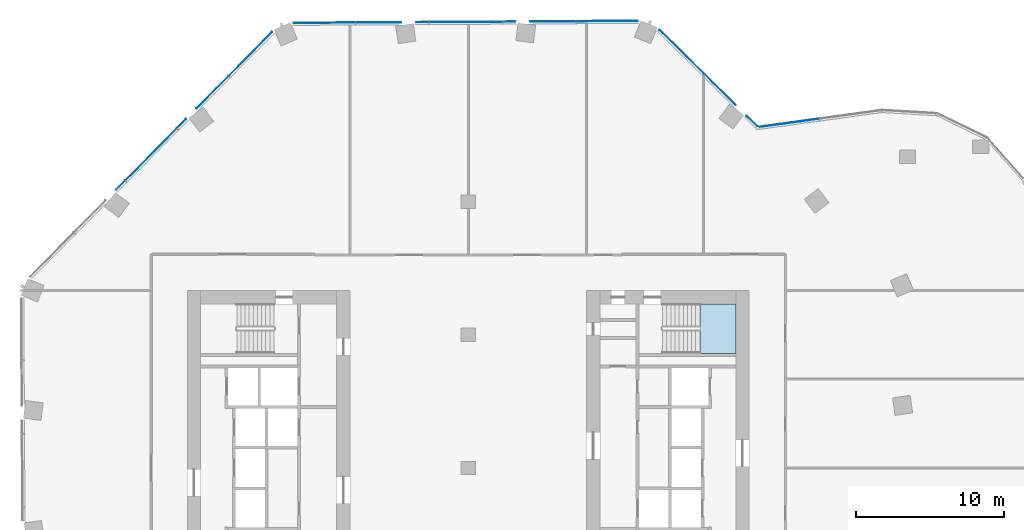
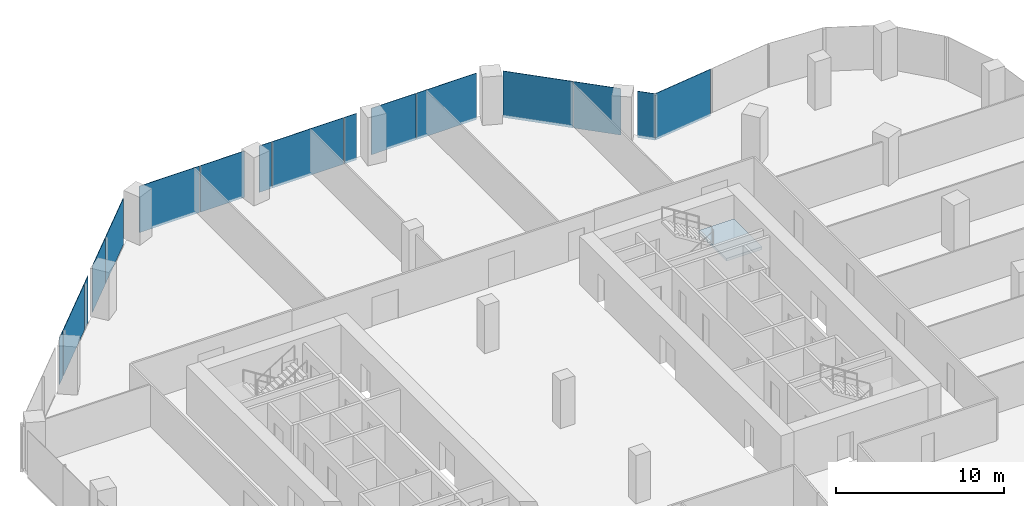
# One storey, part 17 of 27: 16 plates, 1 slab, 5 elements without a shape of their own.
"""IFC4 building model written with IfcOpenShell, lengths in metres."""

from ifc_helpers import new_model, si_unit, direction, frame, origin, origin_2d, place, context, subcontext, project, spatial, polyline, rectangle, outline, extrude, material, layer, layer_set, type_object, element, aggregate, save


model = new_model("IFC4")

# Units and contexts
model_context = context("Model", 3, precision=1e-05, world=origin(), true_north=direction((0.0, 1.0)))
body_context = subcontext(model_context, "Body", "Model", "MODEL_VIEW")
ifc_project = project(units=[si_unit("LENGTHUNIT", "METRE"), si_unit("AREAUNIT", "SQUARE_METRE"), si_unit("VOLUMEUNIT", "CUBIC_METRE"), si_unit("PLANEANGLEUNIT", "RADIAN"), si_unit("MASSUNIT", "GRAM", prefix="KILO")], contexts=[model_context])

# Site, building, storey
site_placement = place(None, origin())
site = spatial("IfcSite", under=ifc_project, at=site_placement, CompositionType="ELEMENT")
building_placement = place(site_placement, origin())
building = spatial("IfcBuilding", under=site, at=building_placement, Name="Orlundy Tower", CompositionType="ELEMENT")
storey_placement = place(building_placement, frame((0.0, 0.0, 195.60009765625)))
storey = spatial("IfcBuildingStorey", under=building, at=storey_placement, Name="L51", CompositionType="ELEMENT", Elevation=195.60009765625)

# Curtain wall, plates
ifc_material_1 = material(Name="Aluminium bronze anodised", Category="aluminium")
curtain_wall_type = type_object("IfcCurtainWallType", Name="CW1 wall", PredefinedType="NOTDEFINED", material=ifc_material_1)
curtain_wall_1_placement = place(storey_placement, origin())
curtain_wall_1 = element("IfcCurtainWall", 1, at=curtain_wall_1_placement, inside=storey, type_object=curtain_wall_type, Name="CW1 run 03", PredefinedType="NOTDEFINED")
ifc_material_2 = material(Name="Tinted glass", Category="glass")
ifc_layer_1 = layer(ifc_material_2, 0.031982421875)
ifc_layer_set_1 = layer_set([ifc_layer_1], Name="CW1 glass panel 32")
plate_type = type_object("IfcPlateType", Name="CW1 glass panel 32", PredefinedType="CURTAIN_PANEL", material=ifc_layer_set_1)
plate_1_placement = place(storey_placement, frame((-23.515380859375, 19.118408203125, -0.300048828125), z_axis=(0.0, 0.0, 1.0), x_axis=(0.702990637629, 0.711199102506, 0.0)))
plate_1 = element("IfcPlate", 2, at=plate_1_placement, type_object=plate_type, Name="CW1 panel", PredefinedType="CURTAIN_PANEL", context=body_context, shape_type="SweptSolid", body=[
    extrude(rectangle(XDim=0.846435546875, YDim=0.031982421875, at=origin_2d()), origin(), (0.0, 0.0, 1.0), 3.3798828125),
])
plate_2_placement = place(storey_placement, frame((-21.453125, 21.204833984375, -0.300048828125), z_axis=(0.0, 0.0, 1.0), x_axis=(0.702990637629, 0.711199102506, 0.0)))
plate_2 = element("IfcPlate", 3, at=plate_2_placement, type_object=plate_type, Name="CW1 panel", PredefinedType="CURTAIN_PANEL", context=body_context, shape_type="SweptSolid", body=[
    extrude(rectangle(XDim=4.92041015625, YDim=0.031982421875, at=origin_2d()), origin(), (0.0, 0.0, 1.0), 3.3798828125),
])
plate_3_placement = place(storey_placement, frame((-19.390625, 23.291259765625, -0.300048828125), z_axis=(0.0, 0.0, 1.0), x_axis=(0.702990637629, 0.711199102506, 0.0)))
plate_3 = element("IfcPlate", 4, at=plate_3_placement, type_object=plate_type, Name="CW1 panel", PredefinedType="CURTAIN_PANEL", context=body_context, shape_type="SweptSolid", body=[
    extrude(rectangle(XDim=0.84716796875, YDim=0.031982421875, at=origin_2d()), origin(), (0.0, 0.0, 1.0), 3.3798828125),
])
plate_4_placement = place(storey_placement, frame((-17.302978515625, 25.4033203125, -0.300048828125), z_axis=(0.0, 0.0, 1.0), x_axis=(0.702990637629, 0.711199102506, 0.0)))
plate_4 = element("IfcPlate", 5, at=plate_4_placement, type_object=plate_type, Name="CW1 panel", PredefinedType="CURTAIN_PANEL", context=body_context, shape_type="SweptSolid", body=[
    extrude(rectangle(XDim=3.054443359375, YDim=0.031982421875, at=origin_2d()), origin(), (0.0, 0.0, 1.0), 3.3798828125),
])
plate_5_placement = place(storey_placement, frame((-14.736328125, 28.0, -0.300048828125), z_axis=(0.0, 0.0, 1.0), x_axis=(0.702990637629, 0.711199102506, 0.0)))
plate_5 = element("IfcPlate", 6, at=plate_5_placement, type_object=plate_type, Name="CW1 panel", PredefinedType="CURTAIN_PANEL", context=body_context, shape_type="SweptSolid", body=[
    extrude(rectangle(XDim=4.147705078125, YDim=0.031982421875, at=origin_2d()), origin(), (0.0, 0.0, 1.0), 3.3798828125),
])
aggregate(curtain_wall_1, [plate_1, plate_2, plate_3, plate_4, plate_5])

curtain_wall_2_placement = place(storey_placement, origin())
curtain_wall_2 = element("IfcCurtainWall", 7, at=curtain_wall_2_placement, inside=storey, type_object=curtain_wall_type, Name="CW1 run 04", PredefinedType="NOTDEFINED")
plate_6_placement = place(storey_placement, frame((-9.72998046875, 30.107666015625, -0.300048828125), z_axis=(0.0, 0.0, 1.0), x_axis=(0.999982980873, 0.005834206419, 0.0)))
plate_6 = element("IfcPlate", 8, at=plate_6_placement, type_object=plate_type, Name="CW1 panel", PredefinedType="CURTAIN_PANEL", context=body_context, shape_type="SweptSolid", body=[
    extrude(rectangle(XDim=4.1474609375, YDim=0.031982421875, at=origin_2d()), origin(), (0.0, 0.0, 1.0), 3.3798828125),
])
plate_7_placement = place(storey_placement, frame((-6.078857421875, 30.129150390625, -0.300048828125), z_axis=(0.0, 0.0, 1.0), x_axis=(0.999982980873, 0.005834206419, 0.0)))
plate_7 = element("IfcPlate", 9, at=plate_7_placement, type_object=plate_type, Name="CW1 panel", PredefinedType="CURTAIN_PANEL", context=body_context, shape_type="SweptSolid", body=[
    extrude(rectangle(XDim=3.054931640625, YDim=0.031982421875, at=origin_2d()), origin(), (0.0, 0.0, 1.0), 3.3798828125),
])
plate_8_placement = place(storey_placement, frame((-3.109130859375, 30.146484375, -0.300048828125), z_axis=(0.0, 0.0, 1.0), x_axis=(0.999982980873, 0.005834206419, 0.0)))
plate_8 = element("IfcPlate", 10, at=plate_8_placement, type_object=plate_type, Name="CW1 panel", PredefinedType="CURTAIN_PANEL", context=body_context, shape_type="SweptSolid", body=[
    extrude(rectangle(XDim=0.8466796875, YDim=0.031982421875, at=origin_2d()), origin(), (0.0, 0.0, 1.0), 3.3798828125),
])
plate_9_placement = place(storey_placement, frame((-0.175537109375, 30.16357421875, -0.300048828125), z_axis=(0.0, 0.0, 1.0), x_axis=(0.999982980873, 0.005834206419, 0.0)))
plate_9 = element("IfcPlate", 11, at=plate_9_placement, type_object=plate_type, Name="CW1 panel", PredefinedType="CURTAIN_PANEL", context=body_context, shape_type="SweptSolid", body=[
    extrude(rectangle(XDim=4.920654296875, YDim=0.031982421875, at=origin_2d()), origin(), (0.0, 0.0, 1.0), 3.3798828125),
])
plate_10_placement = place(storey_placement, frame((2.758056640625, 30.1806640625, -0.300048828125), z_axis=(0.0, 0.0, 1.0), x_axis=(0.999982980873, 0.005834206419, 0.0)))
plate_10 = element("IfcPlate", 12, at=plate_10_placement, type_object=plate_type, Name="CW1 panel", PredefinedType="CURTAIN_PANEL", context=body_context, shape_type="SweptSolid", body=[
    extrude(rectangle(XDim=0.8466796875, YDim=0.031982421875, at=origin_2d()), origin(), (0.0, 0.0, 1.0), 3.3798828125),
])
plate_11_placement = place(storey_placement, frame((5.7265625, 30.197998046875, -0.300048828125), z_axis=(0.0, 0.0, 1.0), x_axis=(0.999982980873, 0.005834206419, 0.0)))
plate_11 = element("IfcPlate", 13, at=plate_11_placement, type_object=plate_type, Name="CW1 panel", PredefinedType="CURTAIN_PANEL", context=body_context, shape_type="SweptSolid", body=[
    extrude(rectangle(XDim=3.0576171875, YDim=0.031982421875, at=origin_2d()), origin(), (0.0, 0.0, 1.0), 3.3798828125),
])
plate_12_placement = place(storey_placement, frame((9.37939453125, 30.21923828125, -0.300048828125), z_axis=(0.0, 0.0, 1.0), x_axis=(0.999982980873, 0.005834206419, 0.0)))
plate_12 = element("IfcPlate", 14, at=plate_12_placement, type_object=plate_type, Name="CW1 panel", PredefinedType="CURTAIN_PANEL", context=body_context, shape_type="SweptSolid", body=[
    extrude(rectangle(XDim=4.14794921875, YDim=0.031982421875, at=origin_2d()), origin(), (0.0, 0.0, 1.0), 3.3798828125),
])
aggregate(curtain_wall_2, [plate_6, plate_7, plate_8, plate_9, plate_10, plate_11, plate_12])

curtain_wall_3_placement = place(storey_placement, origin())
curtain_wall_3 = element("IfcCurtainWall", 15, at=curtain_wall_3_placement, inside=storey, type_object=curtain_wall_type, Name="CW1 run 05", PredefinedType="NOTDEFINED")
plate_13_placement = place(storey_placement, frame((14.462158203125, 28.117919921875, -0.300048828125), z_axis=(0.0, 0.0, 1.0), x_axis=(0.711197941896, -0.702991811789, 0.0)))
plate_13 = element("IfcPlate", 16, at=plate_13_placement, type_object=plate_type, Name="CW1 panel", PredefinedType="CURTAIN_PANEL", context=body_context, shape_type="SweptSolid", body=[
    extrude(rectangle(XDim=4.294921875, YDim=0.031982421875, at=origin_2d()), origin(), (0.0, 0.0, 1.0), 3.3798828125),
])
plate_14_placement = place(storey_placement, frame((17.0595703125, 25.550537109375, -0.300048828125), z_axis=(0.0, 0.0, 1.0), x_axis=(0.711197941896, -0.702991811789, 0.0)))
plate_14 = element("IfcPlate", 17, at=plate_14_placement, type_object=plate_type, Name="CW1 panel", PredefinedType="CURTAIN_PANEL", context=body_context, shape_type="SweptSolid", body=[
    extrude(rectangle(XDim=2.909423828125, YDim=0.031982421875, at=origin_2d()), origin(), (0.0, 0.0, 1.0), 3.3798828125),
])
plate_15_placement = place(storey_placement, frame((19.20361328125, 23.43115234375, -0.300048828125), z_axis=(0.0, 0.0, 1.0), x_axis=(0.711197941896, -0.702991811789, 0.0)))
plate_15 = element("IfcPlate", 18, at=plate_15_placement, type_object=plate_type, Name="CW1 panel", PredefinedType="CURTAIN_PANEL", context=body_context, shape_type="SweptSolid", body=[
    extrude(rectangle(XDim=1.0859375, YDim=0.031982421875, at=origin_2d()), origin(), (0.0, 0.0, 1.0), 3.3798828125),
])
aggregate(curtain_wall_3, [plate_13, plate_14, plate_15])

# Curtain wall, plate
curtain_wall_4_placement = place(storey_placement, origin())
curtain_wall_4 = element("IfcCurtainWall", 19, at=curtain_wall_4_placement, inside=storey, type_object=curtain_wall_type, Name="CW1 run 06", PredefinedType="NOTDEFINED")
plate_16_placement = place(storey_placement, frame((21.650634765625, 23.332763671875, -0.300048828125), z_axis=(0.0, 0.0, 1.0), x_axis=(0.990683386349, 0.136185270904, 0.0)))
plate_16 = element("IfcPlate", 20, at=plate_16_placement, type_object=plate_type, Name="CW1 panel", PredefinedType="CURTAIN_PANEL", context=body_context, shape_type="SweptSolid", body=[
    extrude(rectangle(XDim=4.160400390625, YDim=0.031982421875, at=origin_2d()), origin(), (0.0, 0.0, 1.0), 3.3798828125),
])
aggregate(curtain_wall_4, [plate_16])

# Stair, slab
ifc_material_3 = material(Name="Concrete C50/60", Category="concrete")
stair_type = type_object("IfcStairType", Name="Exit Stair 20 risers", PredefinedType="HALF_TURN_STAIR", material=ifc_material_3)
stair_placement = place(storey_placement, origin())
stair = element("IfcStair", 21, at=stair_placement, inside=storey, type_object=stair_type, Name="L51 Exit Stair ST-E2", PredefinedType="HALF_TURN_STAIR")
ifc_material_4 = material(Name="Concrete C50/60", Category="concrete")
ifc_layer_2 = layer(ifc_material_4, 0.199951171875)
ifc_layer_set_2 = layer_set([ifc_layer_2], Name="Exit Stair Landing")
slab_type = type_object("IfcSlabType", Name="Exit Stair Landing", PredefinedType="LANDING", material=ifc_layer_set_2)
slab_placement = place(storey_placement, frame((0.0, 0.0, 1.5498046875)))
slab = element("IfcSlab", 22, at=slab_placement, type_object=slab_type, Name="ST-E2 landing 1", PredefinedType="LANDING", context=body_context, shape_type="SweptSolid", body=[
    extrude(outline(polyline([(15.659912109375, 7.75), (18.10009765625, 7.75), (18.10009765625, 11.10009765625), (15.659912109375, 11.10009765625), (15.659912109375, 7.75)])), origin(), (0.0, 0.0, 1.0), 0.2001953125),
])
aggregate(stair, [slab])

save(model, "model.ifc")
